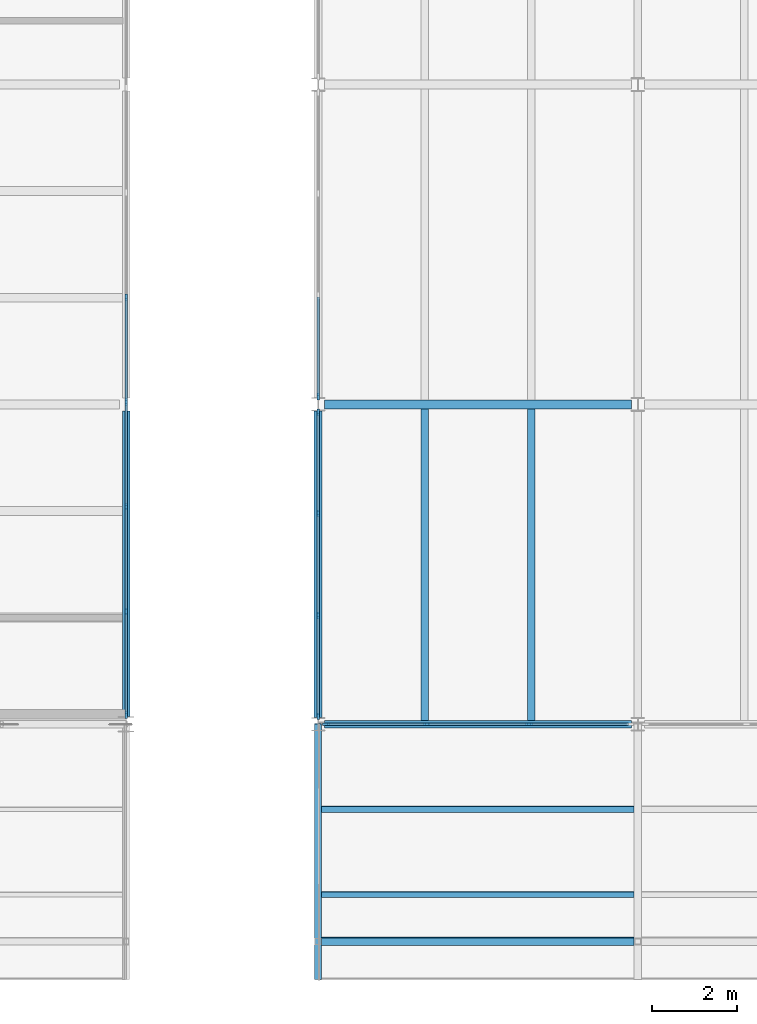
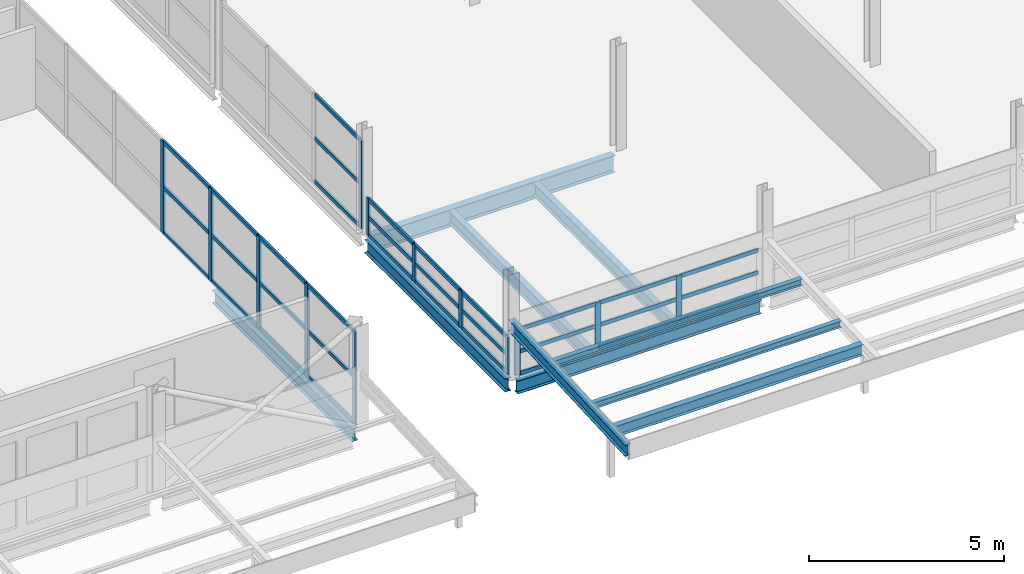
# One storey, part 37 of 214: 49 members, 7 beams, 4 elements without a shape of their own.
"""IFC4 building model written with IfcOpenShell, lengths in metres."""

import ifcopenshell
import ifcopenshell.guid

model = None  # the IFC model being written
_history = None  # IfcOwnerHistory: only IFC2X3 demands one
_inside = {}  # id of a spatial element -> (the spatial element, [elements in it])
_under = {}  # id of a project, library or spatial element -> (it, [spatial elements below it])
_declared = {}  # id of a project -> (the project, [libraries it declares])
_typed = {}  # id of a type object -> (the type object, [elements of that type])
_made_of = {}  # id of a material, layer set ... -> (it, [elements and type objects made of it])


def new_model(schema):
    """Start an empty IFC model of exactly this schema.

    Asked for "IFC4X3", IfcOpenShell would pick the latest addendum, in which some entities
    have other attributes; the version numbers below select the first issue.
    IFC2X3 requires an IfcOwnerHistory on every rooted entity: one is made here for all.
    """
    global model, _history
    if schema == "IFC4X3":
        model = ifcopenshell.file(schema_version=(4, 3, 0, 0))
    else:
        model = ifcopenshell.file(schema=schema)
    _inside.clear()
    _under.clear()
    _declared.clear()
    _typed.clear()
    _made_of.clear()
    _history = None
    if model.schema == "IFC2X3":
        org = make("IfcOrganization", Name="unknown")
        user = make(
            "IfcPersonAndOrganization",
            ThePerson=make("IfcPerson", FamilyName="unknown"),
            TheOrganization=org,
        )
        app = make(
            "IfcApplication",
            ApplicationDeveloper=org,
            Version="unknown",
            ApplicationFullName="unknown",
            ApplicationIdentifier="unknown",
        )
        _history = make(
            "IfcOwnerHistory",
            OwningUser=user,
            OwningApplication=app,
            ChangeAction="ADDED",
            CreationDate=0,
        )
    return model


def make(cls, **values):
    """One entity of the class cls with the attributes given. An attribute that is None is left unset."""
    return model.create_entity(
        cls, **{name: value for name, value in values.items() if value is not None}
    )


def rooted(cls, **values):
    """An entity with a GlobalId (a new one), such as an element, a storey or a relation."""
    return make(cls, GlobalId=ifcopenshell.guid.new(), OwnerHistory=_history, **values)


def si_unit(unit_type, name, prefix=None):
    """IfcSIUnit, for example si_unit("LENGTHUNIT", "METRE", prefix="MILLI")."""
    return make("IfcSIUnit", UnitType=unit_type, Prefix=prefix, Name=name)


def assignment(units):
    """IfcUnitAssignment: the units of a project."""
    return None if units is None else make("IfcUnitAssignment", Units=units)


def point(xyz):
    """IfcCartesianPoint."""
    return None if xyz is None else make("IfcCartesianPoint", Coordinates=xyz)


def direction(xyz):
    """IfcDirection."""
    return None if xyz is None else make("IfcDirection", DirectionRatios=xyz)


def frame(location, z_axis=None, x_axis=None):
    """IfcAxis2Placement3D, a coordinate frame: its origin and axes. An axis left out is left unset."""
    return make(
        "IfcAxis2Placement3D",
        Location=point(location),
        Axis=direction(z_axis),
        RefDirection=direction(x_axis),
    )


def frame_2d(location, x_axis=None):
    """IfcAxis2Placement2D, a coordinate frame in the plane: its origin and x axis."""
    return make(
        "IfcAxis2Placement2D", Location=point(location), RefDirection=direction(x_axis)
    )


def origin():
    """The frame at (0, 0, 0) with its axes left unset."""
    return frame((0.0, 0.0, 0.0))


def origin_2d():
    """The frame at (0, 0) in the plane with its x axis left unset."""
    return frame_2d((0.0, 0.0))


def place(relative_to, where):
    """IfcLocalPlacement: puts the frame where relative to a parent placement (None: the world)."""
    return make(
        "IfcLocalPlacement", PlacementRelTo=relative_to, RelativePlacement=where
    )


def context(
    kind, dimensions, precision=None, world=None, true_north=None, identifier=None
):
    """IfcGeometricRepresentationContext, for example the 3D "Model" context."""
    return make(
        "IfcGeometricRepresentationContext",
        ContextIdentifier=identifier,
        ContextType=kind,
        CoordinateSpaceDimension=dimensions,
        Precision=precision,
        WorldCoordinateSystem=world,
        TrueNorth=true_north,
    )


def subcontext(parent, identifier, kind, view, scale=None):
    """IfcGeometricRepresentationSubContext, for example "Body" below "Model"."""
    return make(
        "IfcGeometricRepresentationSubContext",
        ContextIdentifier=identifier,
        ContextType=kind,
        ParentContext=parent,
        TargetScale=scale,
        TargetView=view,
    )


def project(units=None, contexts=None):
    """IfcProject with its units and contexts."""
    return rooted(
        "IfcProject",
        Name="project",
        RepresentationContexts=contexts,
        UnitsInContext=assignment(units),
    )


def spatial(cls, under=None, at=None, **own):
    """A site, building, storey or space (cls), placed at a placement, below another one or the project."""
    s = rooted(cls, ObjectPlacement=at, **own)
    if under is not None:
        _under.setdefault(under.id(), (under, []))[1].append(s)
    return s


def profile(cls, at=None, kind="AREA", **sizes):
    """A parametric profile (cls). Its sizes go by their IFC names, for example OverallWidth=200.0."""
    return make(cls, ProfileType=kind, Position=at, **sizes)


def rectangle(**sizes):
    """IfcRectangleProfileDef."""
    return profile("IfcRectangleProfileDef", **sizes)


def i_section(**sizes):
    """IfcIShapeProfileDef."""
    return profile("IfcIShapeProfileDef", **sizes)


def extrude(swept, where, along, depth):
    """IfcExtrudedAreaSolid: the profile swept, set in the frame where, extruded along a direction by depth."""
    return make(
        "IfcExtrudedAreaSolid",
        SweptArea=swept,
        Position=where,
        ExtrudedDirection=direction(along),
        Depth=depth,
    )


def shape(context_of_items, identifier, shape_type, items):
    """IfcShapeRepresentation: the items that make up one representation, for example the "Body"."""
    return make(
        "IfcShapeRepresentation",
        ContextOfItems=context_of_items,
        RepresentationIdentifier=identifier,
        RepresentationType=shape_type,
        Items=items,
    )


def material(Name=None, Category=None):
    """IfcMaterial."""
    return make("IfcMaterial", Name=Name, Category=Category)


def material_profile(
    of_material, cross_section, Name=None, Category=None, Priority=None
):
    """IfcMaterialProfile: a cross section and its material."""
    return make(
        "IfcMaterialProfile",
        Name=Name,
        Material=of_material,
        Profile=cross_section,
        Priority=Priority,
        Category=Category,
    )


def profile_set(profiles, Name=None, composite=None):
    """IfcMaterialProfileSet."""
    return make(
        "IfcMaterialProfileSet",
        Name=Name,
        MaterialProfiles=profiles,
        CompositeProfile=composite,
    )


def made_of(thing, what):
    """Note that an element or type object is made of a material, layer set ...; save() writes the relation."""
    if what is not None:
        _made_of.setdefault(what.id(), (what, []))[1].append(thing)
    return thing


def type_object(cls, material=None, **own):
    """A type object (cls), such as IfcWallType, which elements share."""
    return made_of(rooted(cls, **own), material)


def element(
    cls,
    number,
    at=None,
    inside=None,
    cuts=None,
    type_object=None,
    material=None,
    context=None,
    identifier="Body",
    shape_type=None,
    held_by="IfcProductDefinitionShape",
    body=None,
    shapes=None,
    **own,
):
    """One element of the class cls, such as IfcWall. Its Tag is "e" and its number.

    at: its placement. inside: the storey or other place that contains it. cuts: it is an
    opening in that element (IfcRelVoidsElement). A single representation is given by context,
    identifier, shape_type and body (its items); several are given by shapes. held_by: the class
    of the entity that holds the representations. save() writes the other relations.
    """
    e = rooted(cls, Tag="e%d" % number, ObjectPlacement=at, **own)
    if body is not None:
        shapes = [shape(context, identifier, shape_type, body)]
    if shapes is not None:
        e.Representation = make(held_by, Representations=shapes)
    if inside is not None:
        _inside.setdefault(inside.id(), (inside, []))[1].append(e)
    if cuts is not None:
        rooted(
            "IfcRelVoidsElement", RelatingBuildingElement=cuts, RelatedOpeningElement=e
        )
    if type_object is not None:
        _typed.setdefault(type_object.id(), (type_object, []))[1].append(e)
    return made_of(e, material)


def aggregate(whole, parts):
    """IfcRelAggregates: a whole, such as a stair, and the parts it consists of."""
    return rooted("IfcRelAggregates", RelatingObject=whole, RelatedObjects=parts)


def save(model, path):
    """Write the relations noted so far, then the file.

    IfcRelAggregates (storeys below a building ...), IfcRelContainedInSpatialStructure (elements
    in a storey), IfcRelDefinesByType, IfcRelAssociatesMaterial and IfcRelDeclares: one each for
    every whole, place, type object, material and project.
    """
    for whole, parts in _under.values():
        aggregate(whole, parts)
    for where, things in _inside.values():
        rooted(
            "IfcRelContainedInSpatialStructure",
            RelatedElements=things,
            RelatingStructure=where,
        )
    for kind, things in _typed.values():
        rooted("IfcRelDefinesByType", RelatedObjects=things, RelatingType=kind)
    for what, things in _made_of.values():
        rooted("IfcRelAssociatesMaterial", RelatedObjects=things, RelatingMaterial=what)
    for by, libraries in _declared.values():
        rooted("IfcRelDeclares", RelatingContext=by, RelatedDefinitions=libraries)
    model.write(path)


model = new_model("IFC4")

# Units and contexts
model_context = context("Model", 3, precision=1e-05, world=origin(), true_north=direction((0.0, 1.0)))
body_context = subcontext(model_context, "Body", "Model", "MODEL_VIEW")
ifc_project = project(units=[si_unit("LENGTHUNIT", "METRE"), si_unit("AREAUNIT", "SQUARE_METRE"), si_unit("VOLUMEUNIT", "CUBIC_METRE"), si_unit("PLANEANGLEUNIT", "RADIAN"), si_unit("MASSUNIT", "GRAM", prefix="KILO")], contexts=[model_context])

# Site, building, storey
site_placement = place(None, origin())
site = spatial("IfcSite", under=ifc_project, at=site_placement, CompositionType="ELEMENT")
building_placement = place(site_placement, origin())
building = spatial("IfcBuilding", under=site, at=building_placement, Name="Parallax Yard Mobility Hub", CompositionType="ELEMENT")
storey_placement = place(building_placement, frame((0.0, 0.0, 3.300048828125)))
storey = spatial("IfcBuildingStorey", under=building, at=storey_placement, Name="L01", CompositionType="ELEMENT", Elevation=3.300048828125)

# Beam
ifc_material_1 = material(Name="Steel ASTM A992", Category="steel")
ifc_material_profile_1 = material_profile(ifc_material_1, i_section(OverallWidth=0.1708984375, OverallDepth=0.35498046875, WebThickness=0.007080078125, FlangeThickness=0.01171875, at=origin_2d()), Name="W360x51")
ifc_profile_set_1 = profile_set([ifc_material_profile_1], Name="Steel ASTM A992")
beam_type_1 = type_object("IfcBeamType", Name="Arcade edge beam W360x51", PredefinedType="SPANDREL", material=ifc_profile_set_1)
beam_1_placement = place(storey_placement, frame((97.58544921875, 2.408935546875, 1.378173828125), z_axis=(1.0, 0.0, 0.0), x_axis=(0.0, 0.998752343433, 0.049937525845)))
element("IfcBeam", 1, at=beam_1_placement, inside=storey, type_object=beam_type_1, Name="Arcade edge beam V6 bay 1", PredefinedType="SPANDREL", context=body_context, shape_type="SweptSolid", body=[
    extrude(i_section(OverallWidth=0.1708984375, OverallDepth=0.35498046875, WebThickness=0.007080078125, FlangeThickness=0.01171875, at=origin_2d()), origin(), (0.0, 0.0, 1.0), 7.3291015625),
])

# Members
ifc_material_profile_2 = material_profile(ifc_material_1, i_section(OverallWidth=0.133056640625, OverallDepth=0.20703125, WebThickness=0.005859375, FlangeThickness=0.00830078125, at=origin_2d()), Name="W200x27")
ifc_profile_set_2 = profile_set([ifc_material_profile_2], Name="Steel ASTM A992")
member_type_1 = type_object("IfcMemberType", Name="Arcade purlin W200x27", PredefinedType="PURLIN", material=ifc_profile_set_2)
for number, where, z_axis, x_axis, name in (
    (2, (97.58544921875, 3.505126953125, 1.507080078125), (1.0, 0.0, 0.0), (0.0, 0.998752343433, 0.049937525845), "Arcade purlin V6 bay 1 line 1"),
    (3, (97.58544921875, 5.505126953125, 1.60693359375), (1.0, 0.0, 0.0), (0.0, 0.998752343433, 0.049937525845), "Arcade purlin V6 bay 1 line 2"),
):
    element("IfcMember", number, at=place(storey_placement, frame(where, z_axis=z_axis, x_axis=x_axis)), inside=storey, type_object=member_type_1, Name=name, PredefinedType="PURLIN", context=body_context, shape_type="SweptSolid", body=[
        extrude(i_section(OverallWidth=0.133056640625, OverallDepth=0.20703125, WebThickness=0.005859375, FlangeThickness=0.00830078125, at=origin_2d()), origin(), (0.0, 0.0, 1.0), 7.3291015625),
    ])
ifc_material_profile_3 = material_profile(ifc_material_1, i_section(OverallWidth=0.1708984375, OverallDepth=0.35498046875, WebThickness=0.007080078125, FlangeThickness=0.01171875, at=origin_2d()), Name="W360x51")
ifc_profile_set_3 = profile_set([ifc_material_profile_3], Name="Steel ASTM A992")
member_type_2 = type_object("IfcMemberType", Name="Arcade rafter W360x51", PredefinedType="RAFTER", material=ifc_profile_set_3)
member_1_placement = place(storey_placement, frame((97.5, 1.518798828125, 1.333740234375), z_axis=(0.0, 0.998753861131, 0.049907162574), x_axis=(-1.0, 0.0, 0.0)))
element("IfcMember", 4, at=member_1_placement, inside=storey, type_object=member_type_2, Name="Arcade rafter V6 1", PredefinedType="RAFTER", context=body_context, shape_type="SweptSolid", body=[
    extrude(i_section(OverallWidth=0.1708984375, OverallDepth=0.35498046875, WebThickness=0.007080078125, FlangeThickness=0.01171875, at=origin_2d()), origin(), (0.0, 0.0, 1.0), 5.99755859375),
])

# Curtain wall, members
ifc_material_2 = material(Name="Thermally broken aluminium curtain wall system", Category="aluminium")
curtain_wall_type = type_object("IfcCurtainWallType", Name="Curtain wall run 60 x 160 frame", PredefinedType="NOTDEFINED", material=ifc_material_2)
curtain_wall_1_placement = place(storey_placement, origin())
curtain_wall_1 = element("IfcCurtainWall", 5, at=curtain_wall_1_placement, inside=storey, type_object=curtain_wall_type, Name="Curtain wall run Bus and taxi deck east end bay 1 level L01", PredefinedType="NOTDEFINED")
ifc_material_3 = material(Name="Extruded aluminium", Category="aluminium")
ifc_material_profile_4 = material_profile(ifc_material_3, rectangle(XDim=0.06005859375, YDim=0.159912109375, at=origin_2d()), Name="Mullion 60 x 160")
ifc_profile_set_4 = profile_set([ifc_material_profile_4], Name="Extruded aluminium")
member_type_3 = type_object("IfcMemberType", Name="Mullion 60 x 160", PredefinedType="MULLION", material=ifc_profile_set_4)
member_2_placement = place(storey_placement, frame((93.0, 7.716552734375, 0.0), z_axis=(0.0, 0.0, 1.0), x_axis=(-1.0, 0.0, 0.0)))
member_2 = element("IfcMember", 6, at=member_2_placement, type_object=member_type_3, Name="CW1 mullion 1", PredefinedType="MULLION", context=body_context, shape_type="SweptSolid", body=[
    extrude(rectangle(XDim=0.06005859375, YDim=0.159912109375, at=origin_2d()), origin(), (0.0, 0.0, 1.0), 2.89404296875),
])
member_3_placement = place(storey_placement, frame((93.0, 10.142822265625, 0.0), z_axis=(0.0, 0.0, 1.0), x_axis=(-1.0, 0.0, 0.0)))
member_3 = element("IfcMember", 7, at=member_3_placement, type_object=member_type_3, Name="CW1 mullion 2", PredefinedType="MULLION", context=body_context, shape_type="SweptSolid", body=[
    extrude(rectangle(XDim=0.06005859375, YDim=0.159912109375, at=origin_2d()), origin(), (0.0, 0.0, 1.0), 2.89404296875),
])
member_4_placement = place(storey_placement, frame((93.0, 12.59912109375, 0.0), z_axis=(0.0, 0.0, 1.0), x_axis=(-1.0, 0.0, 0.0)))
member_4 = element("IfcMember", 8, at=member_4_placement, type_object=member_type_3, Name="CW1 mullion 3", PredefinedType="MULLION", context=body_context, shape_type="SweptSolid", body=[
    extrude(rectangle(XDim=0.06005859375, YDim=0.159912109375, at=origin_2d()), origin(), (0.0, 0.0, 1.0), 2.89404296875),
])
member_5_placement = place(storey_placement, frame((93.0, 15.0556640625, 0.0), z_axis=(0.0, 0.0, 1.0), x_axis=(-1.0, 0.0, 0.0)))
member_5 = element("IfcMember", 9, at=member_5_placement, type_object=member_type_3, Name="CW1 mullion 4", PredefinedType="MULLION", context=body_context, shape_type="SweptSolid", body=[
    extrude(rectangle(XDim=0.06005859375, YDim=0.159912109375, at=origin_2d()), origin(), (0.0, 0.0, 1.0), 2.89404296875),
])
member_6_placement = place(storey_placement, frame((93.0, 17.511962890625, 0.0), z_axis=(0.0, 0.0, 1.0), x_axis=(-1.0, 0.0, 0.0)))
member_6 = element("IfcMember", 10, at=member_6_placement, type_object=member_type_3, Name="CW1 mullion 5", PredefinedType="MULLION", context=body_context, shape_type="SweptSolid", body=[
    extrude(rectangle(XDim=0.06005859375, YDim=0.159912109375, at=origin_2d()), origin(), (0.0, 0.0, 1.0), 2.89404296875),
])

curtain_wall_2_placement = place(storey_placement, origin())
curtain_wall_2 = element("IfcCurtainWall", 11, at=curtain_wall_2_placement, inside=storey, type_object=curtain_wall_type, Name="Curtain wall run Mobility service centre and workshops south bay 1 level L01", PredefinedType="NOTDEFINED")
member_7_placement = place(storey_placement, frame((97.68359375, 7.5, 0.0), z_axis=(0.0, 0.0, 1.0), x_axis=(0.0, 1.0, 0.0)))
member_7 = element("IfcMember", 12, at=member_7_placement, type_object=member_type_3, Name="CW1 mullion 1", PredefinedType="MULLION", context=body_context, shape_type="SweptSolid", body=[
    extrude(rectangle(XDim=0.06005859375, YDim=0.159912109375, at=origin_2d()), origin(), (0.0, 0.0, 1.0), 1.4404296875),
])
member_8_placement = place(storey_placement, frame((100.05126953125, 7.5, 0.0), z_axis=(0.0, 0.0, 1.0), x_axis=(0.0, 1.0, 0.0)))
member_8 = element("IfcMember", 13, at=member_8_placement, type_object=member_type_3, Name="CW1 mullion 2", PredefinedType="MULLION", context=body_context, shape_type="SweptSolid", body=[
    extrude(rectangle(XDim=0.06005859375, YDim=0.159912109375, at=origin_2d()), origin(), (0.0, 0.0, 1.0), 1.4404296875),
])
member_9_placement = place(storey_placement, frame((102.44873046875, 7.5, 0.0), z_axis=(0.0, 0.0, 1.0), x_axis=(0.0, 1.0, 0.0)))
member_9 = element("IfcMember", 14, at=member_9_placement, type_object=member_type_3, Name="CW1 mullion 3", PredefinedType="MULLION", context=body_context, shape_type="SweptSolid", body=[
    extrude(rectangle(XDim=0.06005859375, YDim=0.159912109375, at=origin_2d()), origin(), (0.0, 0.0, 1.0), 1.4404296875),
])

curtain_wall_3_placement = place(storey_placement, origin())
curtain_wall_3 = element("IfcCurtainWall", 15, at=curtain_wall_3_placement, inside=storey, type_object=curtain_wall_type, Name="Curtain wall run Mobility service centre and workshops west bay 1 level L01", PredefinedType="NOTDEFINED")
member_10_placement = place(storey_placement, frame((97.5, 7.68359375, 0.0), z_axis=(0.0, 0.0, 1.0), x_axis=(-1.0, 0.0, 0.0)))
member_10 = element("IfcMember", 16, at=member_10_placement, type_object=member_type_3, Name="CW1 mullion 1", PredefinedType="MULLION", context=body_context, shape_type="SweptSolid", body=[
    extrude(rectangle(XDim=0.06005859375, YDim=0.159912109375, at=origin_2d()), origin(), (0.0, 0.0, 1.0), 1.15625),
])
member_11_placement = place(storey_placement, frame((97.5, 10.05126953125, 0.0), z_axis=(0.0, 0.0, 1.0), x_axis=(-1.0, 0.0, 0.0)))
member_11 = element("IfcMember", 17, at=member_11_placement, type_object=member_type_3, Name="CW1 mullion 2", PredefinedType="MULLION", context=body_context, shape_type="SweptSolid", body=[
    extrude(rectangle(XDim=0.06005859375, YDim=0.159912109375, at=origin_2d()), origin(), (0.0, 0.0, 1.0), 1.15625),
])
member_12_placement = place(storey_placement, frame((97.5, 12.44873046875, 0.0), z_axis=(0.0, 0.0, 1.0), x_axis=(-1.0, 0.0, 0.0)))
member_12 = element("IfcMember", 18, at=member_12_placement, type_object=member_type_3, Name="CW1 mullion 3", PredefinedType="MULLION", context=body_context, shape_type="SweptSolid", body=[
    extrude(rectangle(XDim=0.06005859375, YDim=0.159912109375, at=origin_2d()), origin(), (0.0, 0.0, 1.0), 1.15625),
])
member_13_placement = place(storey_placement, frame((97.5, 14.81640625, 0.0), z_axis=(0.0, 0.0, 1.0), x_axis=(-1.0, 0.0, 0.0)))
member_13 = element("IfcMember", 19, at=member_13_placement, type_object=member_type_3, Name="CW1 mullion 4", PredefinedType="MULLION", context=body_context, shape_type="SweptSolid", body=[
    extrude(rectangle(XDim=0.06005859375, YDim=0.159912109375, at=origin_2d()), origin(), (0.0, 0.0, 1.0), 1.15625),
])

# Curtain wall, member
curtain_wall_4_placement = place(storey_placement, origin())
curtain_wall_4 = element("IfcCurtainWall", 20, at=curtain_wall_4_placement, inside=storey, type_object=curtain_wall_type, Name="Curtain wall run Mobility service centre and workshops west bay 2 level L01", PredefinedType="NOTDEFINED")
member_14_placement = place(storey_placement, frame((97.5, 15.18359375, 0.0), z_axis=(0.0, 0.0, 1.0), x_axis=(-1.0, 0.0, 0.0)))
member_14 = element("IfcMember", 21, at=member_14_placement, type_object=member_type_3, Name="CW1 mullion 1", PredefinedType="MULLION", context=body_context, shape_type="SweptSolid", body=[
    extrude(rectangle(XDim=0.06005859375, YDim=0.159912109375, at=origin_2d()), origin(), (0.0, 0.0, 1.0), 2.7509765625),
])

# Member
ifc_material_profile_5 = material_profile(ifc_material_3, rectangle(XDim=0.06005859375, YDim=0.1201171875, at=origin_2d()), Name="Transom 60 x 120")
ifc_profile_set_5 = profile_set([ifc_material_profile_5], Name="Extruded aluminium")
member_type_4 = type_object("IfcMemberType", Name="Transom 60 x 120", PredefinedType="USERDEFINED", material=ifc_profile_set_5)
member_15_placement = place(storey_placement, frame((93.0, 7.74658203125, 0.030029296875), z_axis=(0.0, 1.0, 0.0), x_axis=(-1.0, 0.0, 0.0)))
member_15 = element("IfcMember", 22, at=member_15_placement, type_object=member_type_4, Name="CW1 transom 1.1", ObjectType="TRANSOM", PredefinedType="USERDEFINED", context=body_context, shape_type="SweptSolid", body=[
    extrude(rectangle(XDim=0.06005859375, YDim=0.1201171875, at=origin_2d()), origin(), (0.0, 0.0, 1.0), 2.3662109375),
])

member_16_placement = place(storey_placement, frame((93.0, 7.74658203125, 1.447021484375), z_axis=(0.0, 1.0, 0.0), x_axis=(-1.0, 0.0, 0.0)))
member_16 = element("IfcMember", 23, at=member_16_placement, type_object=member_type_4, Name="CW1 transom 1.2", ObjectType="TRANSOM", PredefinedType="USERDEFINED", context=body_context, shape_type="SweptSolid", body=[
    extrude(rectangle(XDim=0.06005859375, YDim=0.1201171875, at=origin_2d()), origin(), (0.0, 0.0, 1.0), 2.3662109375),
])

member_17_placement = place(storey_placement, frame((93.0, 7.74658203125, 2.864013671875), z_axis=(0.0, 1.0, 0.0), x_axis=(-1.0, 0.0, 0.0)))
member_17 = element("IfcMember", 24, at=member_17_placement, type_object=member_type_4, Name="CW1 transom 1.3", ObjectType="TRANSOM", PredefinedType="USERDEFINED", context=body_context, shape_type="SweptSolid", body=[
    extrude(rectangle(XDim=0.06005859375, YDim=0.1201171875, at=origin_2d()), origin(), (0.0, 0.0, 1.0), 2.3662109375),
])

member_18_placement = place(storey_placement, frame((93.0, 10.1728515625, 0.030029296875), z_axis=(0.0, 1.0, 0.0), x_axis=(-1.0, 0.0, 0.0)))
member_18 = element("IfcMember", 25, at=member_18_placement, type_object=member_type_4, Name="CW1 transom 2.1", ObjectType="TRANSOM", PredefinedType="USERDEFINED", context=body_context, shape_type="SweptSolid", body=[
    extrude(rectangle(XDim=0.06005859375, YDim=0.1201171875, at=origin_2d()), origin(), (0.0, 0.0, 1.0), 2.396240234375),
])

member_19_placement = place(storey_placement, frame((93.0, 10.1728515625, 1.447021484375), z_axis=(0.0, 1.0, 0.0), x_axis=(-1.0, 0.0, 0.0)))
member_19 = element("IfcMember", 26, at=member_19_placement, type_object=member_type_4, Name="CW1 transom 2.2", ObjectType="TRANSOM", PredefinedType="USERDEFINED", context=body_context, shape_type="SweptSolid", body=[
    extrude(rectangle(XDim=0.06005859375, YDim=0.1201171875, at=origin_2d()), origin(), (0.0, 0.0, 1.0), 2.396240234375),
])

member_20_placement = place(storey_placement, frame((93.0, 10.1728515625, 2.864013671875), z_axis=(0.0, 1.0, 0.0), x_axis=(-1.0, 0.0, 0.0)))
member_20 = element("IfcMember", 27, at=member_20_placement, type_object=member_type_4, Name="CW1 transom 2.3", ObjectType="TRANSOM", PredefinedType="USERDEFINED", context=body_context, shape_type="SweptSolid", body=[
    extrude(rectangle(XDim=0.06005859375, YDim=0.1201171875, at=origin_2d()), origin(), (0.0, 0.0, 1.0), 2.396240234375),
])

member_21_placement = place(storey_placement, frame((93.0, 12.629150390625, 0.030029296875), z_axis=(0.0, 1.0, 0.0), x_axis=(-1.0, 0.0, 0.0)))
member_21 = element("IfcMember", 28, at=member_21_placement, type_object=member_type_4, Name="CW1 transom 3.1", ObjectType="TRANSOM", PredefinedType="USERDEFINED", context=body_context, shape_type="SweptSolid", body=[
    extrude(rectangle(XDim=0.06005859375, YDim=0.1201171875, at=origin_2d()), origin(), (0.0, 0.0, 1.0), 2.396484375),
])

member_22_placement = place(storey_placement, frame((93.0, 12.629150390625, 1.447021484375), z_axis=(0.0, 1.0, 0.0), x_axis=(-1.0, 0.0, 0.0)))
member_22 = element("IfcMember", 29, at=member_22_placement, type_object=member_type_4, Name="CW1 transom 3.2", ObjectType="TRANSOM", PredefinedType="USERDEFINED", context=body_context, shape_type="SweptSolid", body=[
    extrude(rectangle(XDim=0.06005859375, YDim=0.1201171875, at=origin_2d()), origin(), (0.0, 0.0, 1.0), 2.396484375),
])

member_23_placement = place(storey_placement, frame((93.0, 12.629150390625, 2.864013671875), z_axis=(0.0, 1.0, 0.0), x_axis=(-1.0, 0.0, 0.0)))
member_23 = element("IfcMember", 30, at=member_23_placement, type_object=member_type_4, Name="CW1 transom 3.3", ObjectType="TRANSOM", PredefinedType="USERDEFINED", context=body_context, shape_type="SweptSolid", body=[
    extrude(rectangle(XDim=0.06005859375, YDim=0.1201171875, at=origin_2d()), origin(), (0.0, 0.0, 1.0), 2.396484375),
])

member_24_placement = place(storey_placement, frame((93.0, 15.08544921875, 0.030029296875), z_axis=(0.0, 1.0, 0.0), x_axis=(-1.0, 0.0, 0.0)))
member_24 = element("IfcMember", 31, at=member_24_placement, type_object=member_type_4, Name="CW1 transom 4.1", ObjectType="TRANSOM", PredefinedType="USERDEFINED", context=body_context, shape_type="SweptSolid", body=[
    extrude(rectangle(XDim=0.06005859375, YDim=0.1201171875, at=origin_2d()), origin(), (0.0, 0.0, 1.0), 2.396484375),
])

member_25_placement = place(storey_placement, frame((93.0, 15.08544921875, 1.447021484375), z_axis=(0.0, 1.0, 0.0), x_axis=(-1.0, 0.0, 0.0)))
member_25 = element("IfcMember", 32, at=member_25_placement, type_object=member_type_4, Name="CW1 transom 4.2", ObjectType="TRANSOM", PredefinedType="USERDEFINED", context=body_context, shape_type="SweptSolid", body=[
    extrude(rectangle(XDim=0.06005859375, YDim=0.1201171875, at=origin_2d()), origin(), (0.0, 0.0, 1.0), 2.396484375),
])

member_26_placement = place(storey_placement, frame((93.0, 15.08544921875, 2.864013671875), z_axis=(0.0, 1.0, 0.0), x_axis=(-1.0, 0.0, 0.0)))
member_26 = element("IfcMember", 33, at=member_26_placement, type_object=member_type_4, Name="CW1 transom 4.3", ObjectType="TRANSOM", PredefinedType="USERDEFINED", context=body_context, shape_type="SweptSolid", body=[
    extrude(rectangle(XDim=0.06005859375, YDim=0.1201171875, at=origin_2d()), origin(), (0.0, 0.0, 1.0), 2.396484375),
])

aggregate(curtain_wall_1, [member_2, member_3, member_4, member_5, member_6, member_15, member_16, member_17, member_18, member_19, member_20, member_21, member_22, member_23, member_24, member_25, member_26])

member_27_placement = place(storey_placement, frame((97.71337890625, 7.5, 0.030029296875), z_axis=(1.0, 0.0, 0.0), x_axis=(0.0, 1.0, 0.0)))
member_27 = element("IfcMember", 34, at=member_27_placement, type_object=member_type_4, Name="CW1 transom 1.1", ObjectType="TRANSOM", PredefinedType="USERDEFINED", context=body_context, shape_type="SweptSolid", body=[
    extrude(rectangle(XDim=0.06005859375, YDim=0.1201171875, at=origin_2d()), origin(), (0.0, 0.0, 1.0), 2.307861328125),
])

member_28_placement = place(storey_placement, frame((97.71337890625, 7.5, 0.72021484375), z_axis=(1.0, 0.0, 0.0), x_axis=(0.0, 1.0, 0.0)))
member_28 = element("IfcMember", 35, at=member_28_placement, type_object=member_type_4, Name="CW1 transom 1.2", ObjectType="TRANSOM", PredefinedType="USERDEFINED", context=body_context, shape_type="SweptSolid", body=[
    extrude(rectangle(XDim=0.06005859375, YDim=0.1201171875, at=origin_2d()), origin(), (0.0, 0.0, 1.0), 2.307861328125),
])

member_29_placement = place(storey_placement, frame((97.71337890625, 7.5, 1.410400390625), z_axis=(1.0, 0.0, 0.0), x_axis=(0.0, 1.0, 0.0)))
member_29 = element("IfcMember", 36, at=member_29_placement, type_object=member_type_4, Name="CW1 transom 1.3", ObjectType="TRANSOM", PredefinedType="USERDEFINED", context=body_context, shape_type="SweptSolid", body=[
    extrude(rectangle(XDim=0.06005859375, YDim=0.1201171875, at=origin_2d()), origin(), (0.0, 0.0, 1.0), 2.307861328125),
])

member_30_placement = place(storey_placement, frame((100.0810546875, 7.5, 0.030029296875), z_axis=(1.0, 0.0, 0.0), x_axis=(0.0, 1.0, 0.0)))
member_30 = element("IfcMember", 37, at=member_30_placement, type_object=member_type_4, Name="CW1 transom 2.1", ObjectType="TRANSOM", PredefinedType="USERDEFINED", context=body_context, shape_type="SweptSolid", body=[
    extrude(rectangle(XDim=0.06005859375, YDim=0.1201171875, at=origin_2d()), origin(), (0.0, 0.0, 1.0), 2.337890625),
])

member_31_placement = place(storey_placement, frame((100.0810546875, 7.5, 0.72021484375), z_axis=(1.0, 0.0, 0.0), x_axis=(0.0, 1.0, 0.0)))
member_31 = element("IfcMember", 38, at=member_31_placement, type_object=member_type_4, Name="CW1 transom 2.2", ObjectType="TRANSOM", PredefinedType="USERDEFINED", context=body_context, shape_type="SweptSolid", body=[
    extrude(rectangle(XDim=0.06005859375, YDim=0.1201171875, at=origin_2d()), origin(), (0.0, 0.0, 1.0), 2.337890625),
])

member_32_placement = place(storey_placement, frame((100.0810546875, 7.5, 1.410400390625), z_axis=(1.0, 0.0, 0.0), x_axis=(0.0, 1.0, 0.0)))
member_32 = element("IfcMember", 39, at=member_32_placement, type_object=member_type_4, Name="CW1 transom 2.3", ObjectType="TRANSOM", PredefinedType="USERDEFINED", context=body_context, shape_type="SweptSolid", body=[
    extrude(rectangle(XDim=0.06005859375, YDim=0.1201171875, at=origin_2d()), origin(), (0.0, 0.0, 1.0), 2.337890625),
])

member_33_placement = place(storey_placement, frame((102.478759765625, 7.5, 0.030029296875), z_axis=(1.0, 0.0, 0.0), x_axis=(0.0, 1.0, 0.0)))
member_33 = element("IfcMember", 40, at=member_33_placement, type_object=member_type_4, Name="CW1 transom 3.1", ObjectType="TRANSOM", PredefinedType="USERDEFINED", context=body_context, shape_type="SweptSolid", body=[
    extrude(rectangle(XDim=0.06005859375, YDim=0.1201171875, at=origin_2d()), origin(), (0.0, 0.0, 1.0), 2.307861328125),
])

member_34_placement = place(storey_placement, frame((102.478759765625, 7.5, 0.72021484375), z_axis=(1.0, 0.0, 0.0), x_axis=(0.0, 1.0, 0.0)))
member_34 = element("IfcMember", 41, at=member_34_placement, type_object=member_type_4, Name="CW1 transom 3.2", ObjectType="TRANSOM", PredefinedType="USERDEFINED", context=body_context, shape_type="SweptSolid", body=[
    extrude(rectangle(XDim=0.06005859375, YDim=0.1201171875, at=origin_2d()), origin(), (0.0, 0.0, 1.0), 2.307861328125),
])

member_35_placement = place(storey_placement, frame((102.478759765625, 7.5, 1.410400390625), z_axis=(1.0, 0.0, 0.0), x_axis=(0.0, 1.0, 0.0)))
member_35 = element("IfcMember", 42, at=member_35_placement, type_object=member_type_4, Name="CW1 transom 3.3", ObjectType="TRANSOM", PredefinedType="USERDEFINED", context=body_context, shape_type="SweptSolid", body=[
    extrude(rectangle(XDim=0.06005859375, YDim=0.1201171875, at=origin_2d()), origin(), (0.0, 0.0, 1.0), 2.307861328125),
])

aggregate(curtain_wall_2, [member_7, member_8, member_9, member_27, member_28, member_29, member_30, member_31, member_32, member_33, member_34, member_35])

member_36_placement = place(storey_placement, frame((97.5, 7.71337890625, 0.030029296875), z_axis=(0.0, 1.0, 0.0), x_axis=(-1.0, 0.0, 0.0)))
member_36 = element("IfcMember", 43, at=member_36_placement, type_object=member_type_4, Name="CW1 transom 1.1", ObjectType="TRANSOM", PredefinedType="USERDEFINED", context=body_context, shape_type="SweptSolid", body=[
    extrude(rectangle(XDim=0.06005859375, YDim=0.1201171875, at=origin_2d()), origin(), (0.0, 0.0, 1.0), 2.307861328125),
])

member_37_placement = place(storey_placement, frame((97.5, 7.71337890625, 0.578125), z_axis=(0.0, 1.0, 0.0), x_axis=(-1.0, 0.0, 0.0)))
member_37 = element("IfcMember", 44, at=member_37_placement, type_object=member_type_4, Name="CW1 transom 1.2", ObjectType="TRANSOM", PredefinedType="USERDEFINED", context=body_context, shape_type="SweptSolid", body=[
    extrude(rectangle(XDim=0.06005859375, YDim=0.1201171875, at=origin_2d()), origin(), (0.0, 0.0, 1.0), 2.307861328125),
])

member_38_placement = place(storey_placement, frame((97.5, 7.71337890625, 1.126220703125), z_axis=(0.0, 1.0, 0.0), x_axis=(-1.0, 0.0, 0.0)))
member_38 = element("IfcMember", 45, at=member_38_placement, type_object=member_type_4, Name="CW1 transom 1.3", ObjectType="TRANSOM", PredefinedType="USERDEFINED", context=body_context, shape_type="SweptSolid", body=[
    extrude(rectangle(XDim=0.06005859375, YDim=0.1201171875, at=origin_2d()), origin(), (0.0, 0.0, 1.0), 2.307861328125),
])

member_39_placement = place(storey_placement, frame((97.5, 10.0810546875, 0.030029296875), z_axis=(0.0, 1.0, 0.0), x_axis=(-1.0, 0.0, 0.0)))
member_39 = element("IfcMember", 46, at=member_39_placement, type_object=member_type_4, Name="CW1 transom 2.1", ObjectType="TRANSOM", PredefinedType="USERDEFINED", context=body_context, shape_type="SweptSolid", body=[
    extrude(rectangle(XDim=0.06005859375, YDim=0.1201171875, at=origin_2d()), origin(), (0.0, 0.0, 1.0), 2.337890625),
])

member_40_placement = place(storey_placement, frame((97.5, 10.0810546875, 0.578125), z_axis=(0.0, 1.0, 0.0), x_axis=(-1.0, 0.0, 0.0)))
member_40 = element("IfcMember", 47, at=member_40_placement, type_object=member_type_4, Name="CW1 transom 2.2", ObjectType="TRANSOM", PredefinedType="USERDEFINED", context=body_context, shape_type="SweptSolid", body=[
    extrude(rectangle(XDim=0.06005859375, YDim=0.1201171875, at=origin_2d()), origin(), (0.0, 0.0, 1.0), 2.337890625),
])

member_41_placement = place(storey_placement, frame((97.5, 10.0810546875, 1.126220703125), z_axis=(0.0, 1.0, 0.0), x_axis=(-1.0, 0.0, 0.0)))
member_41 = element("IfcMember", 48, at=member_41_placement, type_object=member_type_4, Name="CW1 transom 2.3", ObjectType="TRANSOM", PredefinedType="USERDEFINED", context=body_context, shape_type="SweptSolid", body=[
    extrude(rectangle(XDim=0.06005859375, YDim=0.1201171875, at=origin_2d()), origin(), (0.0, 0.0, 1.0), 2.337890625),
])

member_42_placement = place(storey_placement, frame((97.5, 12.478759765625, 0.030029296875), z_axis=(0.0, 1.0, 0.0), x_axis=(-1.0, 0.0, 0.0)))
member_42 = element("IfcMember", 49, at=member_42_placement, type_object=member_type_4, Name="CW1 transom 3.1", ObjectType="TRANSOM", PredefinedType="USERDEFINED", context=body_context, shape_type="SweptSolid", body=[
    extrude(rectangle(XDim=0.06005859375, YDim=0.1201171875, at=origin_2d()), origin(), (0.0, 0.0, 1.0), 2.307861328125),
])

member_43_placement = place(storey_placement, frame((97.5, 12.478759765625, 0.578125), z_axis=(0.0, 1.0, 0.0), x_axis=(-1.0, 0.0, 0.0)))
member_43 = element("IfcMember", 50, at=member_43_placement, type_object=member_type_4, Name="CW1 transom 3.2", ObjectType="TRANSOM", PredefinedType="USERDEFINED", context=body_context, shape_type="SweptSolid", body=[
    extrude(rectangle(XDim=0.06005859375, YDim=0.1201171875, at=origin_2d()), origin(), (0.0, 0.0, 1.0), 2.307861328125),
])

member_44_placement = place(storey_placement, frame((97.5, 12.478759765625, 1.126220703125), z_axis=(0.0, 1.0, 0.0), x_axis=(-1.0, 0.0, 0.0)))
member_44 = element("IfcMember", 51, at=member_44_placement, type_object=member_type_4, Name="CW1 transom 3.3", ObjectType="TRANSOM", PredefinedType="USERDEFINED", context=body_context, shape_type="SweptSolid", body=[
    extrude(rectangle(XDim=0.06005859375, YDim=0.1201171875, at=origin_2d()), origin(), (0.0, 0.0, 1.0), 2.307861328125),
])

aggregate(curtain_wall_3, [member_10, member_11, member_12, member_13, member_36, member_37, member_38, member_39, member_40, member_41, member_42, member_43, member_44])

member_45_placement = place(storey_placement, frame((97.5, 15.21337890625, 0.030029296875), z_axis=(0.0, 1.0, 0.0), x_axis=(-1.0, 0.0, 0.0)))
member_45 = element("IfcMember", 52, at=member_45_placement, type_object=member_type_4, Name="CW1 transom 1.1", ObjectType="TRANSOM", PredefinedType="USERDEFINED", context=body_context, shape_type="SweptSolid", body=[
    extrude(rectangle(XDim=0.06005859375, YDim=0.1201171875, at=origin_2d()), origin(), (0.0, 0.0, 1.0), 2.307861328125),
])

member_46_placement = place(storey_placement, frame((97.5, 15.21337890625, 1.37548828125), z_axis=(0.0, 1.0, 0.0), x_axis=(-1.0, 0.0, 0.0)))
member_46 = element("IfcMember", 53, at=member_46_placement, type_object=member_type_4, Name="CW1 transom 1.2", ObjectType="TRANSOM", PredefinedType="USERDEFINED", context=body_context, shape_type="SweptSolid", body=[
    extrude(rectangle(XDim=0.06005859375, YDim=0.1201171875, at=origin_2d()), origin(), (0.0, 0.0, 1.0), 2.307861328125),
])

member_47_placement = place(storey_placement, frame((97.5, 15.21337890625, 2.720947265625), z_axis=(0.0, 1.0, 0.0), x_axis=(-1.0, 0.0, 0.0)))
member_47 = element("IfcMember", 54, at=member_47_placement, type_object=member_type_4, Name="CW1 transom 1.3", ObjectType="TRANSOM", PredefinedType="USERDEFINED", context=body_context, shape_type="SweptSolid", body=[
    extrude(rectangle(XDim=0.06005859375, YDim=0.1201171875, at=origin_2d()), origin(), (0.0, 0.0, 1.0), 2.307861328125),
])

aggregate(curtain_wall_4, [member_14, member_45, member_46, member_47])

# Beams
ifc_material_profile_6 = material_profile(ifc_material_1, i_section(OverallWidth=0.177978515625, OverallDepth=0.406005859375, WebThickness=0.0078125, FlangeThickness=0.0126953125, FilletRadius=0.01025390625, at=origin_2d()), Name="W410x60")
ifc_profile_set_6 = profile_set([ifc_material_profile_6], Name="Steel ASTM A992")
beam_type_2 = type_object("IfcBeamType", Name="W410x60 edge beam", PredefinedType="SPANDREL", material=ifc_profile_set_6)
beam_2_placement = place(storey_placement, frame((93.0, 7.68408203125, -0.343017578125), z_axis=(0.0, 1.0, 0.0), x_axis=(-1.0, 0.0, 0.0)))
element("IfcBeam", 55, at=beam_2_placement, inside=storey, type_object=beam_type_2, Name="Edge beam SB1 level L01, fold line F15 of bus and taxi deck, span 1", PredefinedType="SPANDREL", context=body_context, shape_type="SweptSolid", body=[
    extrude(i_section(OverallWidth=0.177978515625, OverallDepth=0.406005859375, WebThickness=0.0078125, FlangeThickness=0.0126953125, FilletRadius=0.01025390625, at=origin_2d()), origin(), (0.0, 0.0, 1.0), 7.162353515625),
])
ifc_material_profile_7 = material_profile(ifc_material_1, i_section(OverallWidth=0.177978515625, OverallDepth=0.406005859375, WebThickness=0.0078125, FlangeThickness=0.0126953125, FilletRadius=0.01025390625, at=origin_2d()), Name="W410x60")
ifc_profile_set_7 = profile_set([ifc_material_profile_7], Name="Steel ASTM A992")
beam_type_3 = type_object("IfcBeamType", Name="W410x60 secondary beam", PredefinedType="JOIST", material=ifc_profile_set_7)
for number, where, z_axis, x_axis, name in (
    (56, (100.0, 7.589599609375, -0.343017578125), (0.0, 1.0, 0.0), (-1.0, 0.0, 0.0), "Secondary beam B1 level L01, 2.5 m east of line 14 of mobility service centre and workshops, span 1"),
    (57, (102.5, 7.589599609375, -0.343017578125), (0.0, 1.0, 0.0), (-1.0, 0.0, 0.0), "Secondary beam B1 level L01, 5 m east of line 14 of mobility service centre and workshops, span 1"),
):
    element("IfcBeam", number, at=place(storey_placement, frame(where, z_axis=z_axis, x_axis=x_axis)), inside=storey, type_object=beam_type_3, Name=name, PredefinedType="JOIST", context=body_context, shape_type="SweptSolid", body=[
        extrude(i_section(OverallWidth=0.177978515625, OverallDepth=0.406005859375, WebThickness=0.0078125, FlangeThickness=0.0126953125, FilletRadius=0.01025390625, at=origin_2d()), origin(), (0.0, 0.0, 1.0), 7.305908203125),
    ])
ifc_material_profile_8 = material_profile(ifc_material_1, i_section(OverallWidth=0.178955078125, OverallDepth=0.408935546875, WebThickness=0.0087890625, FlangeThickness=0.014404296875, FilletRadius=0.01025390625, at=origin_2d()), Name="W410x67")
ifc_profile_set_8 = profile_set([ifc_material_profile_8], Name="Steel ASTM A992")
beam_type_4 = type_object("IfcBeamType", Name="W410x67 edge beam", PredefinedType="SPANDREL", material=ifc_profile_set_8)
beam_3_placement = place(storey_placement, frame((97.5, 7.653564453125, -0.344482421875), z_axis=(0.0, 1.0, 0.0), x_axis=(-1.0, 0.0, 0.0)))
element("IfcBeam", 58, at=beam_3_placement, inside=storey, type_object=beam_type_4, Name="Edge beam SB3 level L01, line 14 of mobility service centre and workshops, span 1", PredefinedType="SPANDREL", context=body_context, shape_type="SweptSolid", body=[
    extrude(i_section(OverallWidth=0.178955078125, OverallDepth=0.408935546875, WebThickness=0.0087890625, FlangeThickness=0.014404296875, FilletRadius=0.01025390625, at=origin_2d()), origin(), (0.0, 0.0, 1.0), 7.19287109375),
])
beam_4_placement = place(storey_placement, frame((97.652587890625, 7.5, -0.344482421875), z_axis=(1.0, 0.0, 0.0), x_axis=(0.0, 1.0, 0.0)))
element("IfcBeam", 59, at=beam_4_placement, inside=storey, type_object=beam_type_4, Name="Edge beam SB3 level L01, line B of mobility service centre and workshops, span 1", PredefinedType="SPANDREL", context=body_context, shape_type="SweptSolid", body=[
    extrude(i_section(OverallWidth=0.178955078125, OverallDepth=0.408935546875, WebThickness=0.0087890625, FlangeThickness=0.014404296875, FilletRadius=0.01025390625, at=origin_2d()), origin(), (0.0, 0.0, 1.0), 7.19482421875),
])
ifc_material_profile_9 = material_profile(ifc_material_1, i_section(OverallWidth=0.208984375, OverallDepth=0.532958984375, WebThickness=0.01025390625, FlangeThickness=0.015625, FilletRadius=0.0126953125, at=origin_2d()), Name="W530x92")
ifc_profile_set_9 = profile_set([ifc_material_profile_9], Name="Steel ASTM A992")
beam_type_5 = type_object("IfcBeamType", Name="W530x92 longitudinal beam", PredefinedType="BEAM", material=ifc_profile_set_9)
beam_5_placement = place(storey_placement, frame((97.652587890625, 15.0, -0.406494140625), z_axis=(1.0, 0.0, 0.0), x_axis=(0.0, 1.0, 0.0)))
element("IfcBeam", 60, at=beam_5_placement, inside=storey, type_object=beam_type_5, Name="Longitudinal beam SB6 level L01, line C of mobility service centre and workshops, span 1", PredefinedType="BEAM", context=body_context, shape_type="SweptSolid", body=[
    extrude(i_section(OverallWidth=0.208984375, OverallDepth=0.532958984375, WebThickness=0.01025390625, FlangeThickness=0.015625, FilletRadius=0.0126953125, at=origin_2d()), origin(), (0.0, 0.0, 1.0), 7.19384765625),
])

save(model, "model.ifc")
